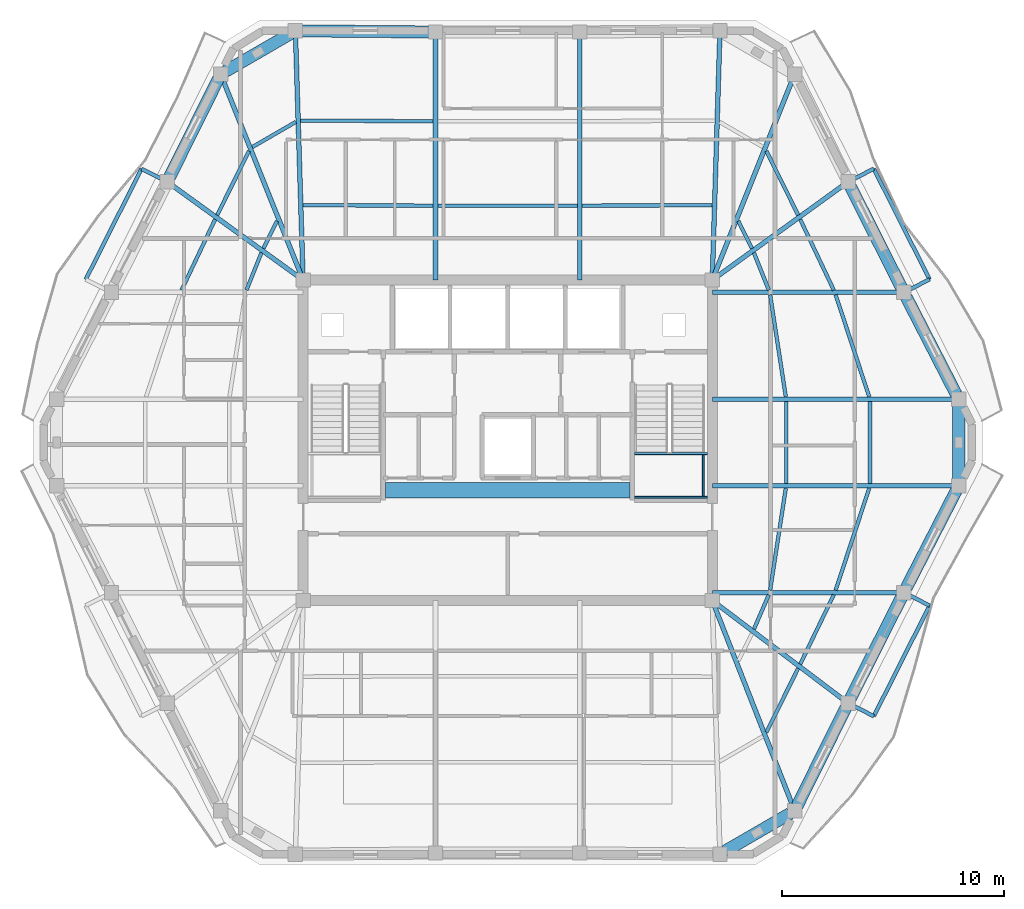
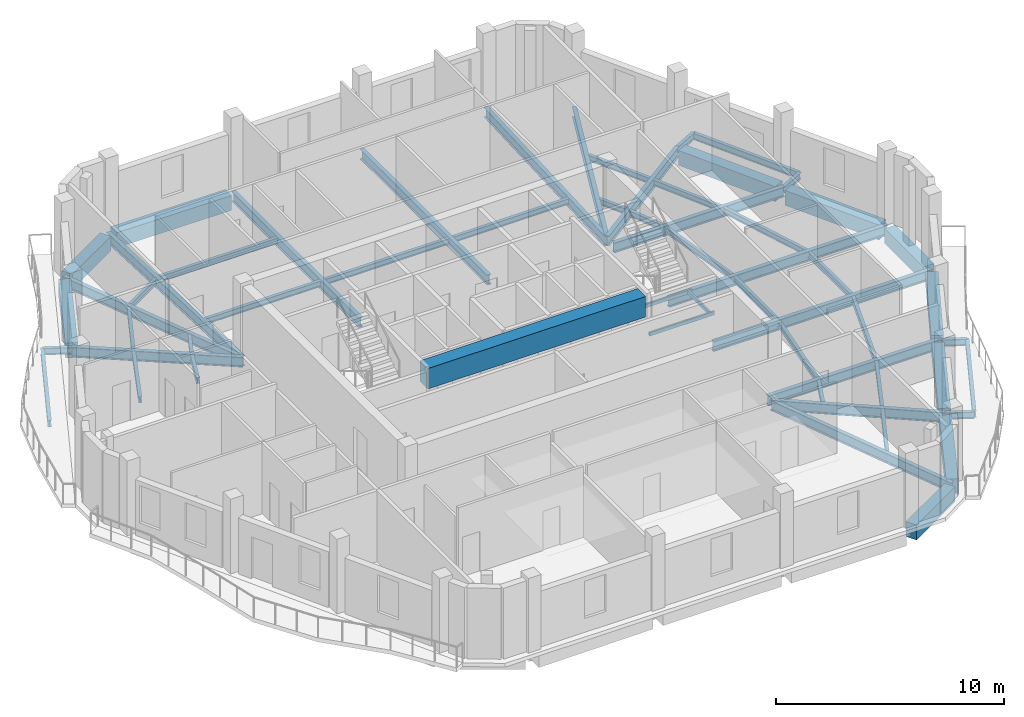
# One storey, part 2 of 11: 58 beams.
"""IFC4 building model written with IfcOpenShell, lengths in metres."""

from ifc_helpers import new_model, si_unit, direction, frame, origin, origin_2d, place, context, subcontext, project, spatial, rectangle, hollow_rectangle, i_section, extrude, material, material_profile, profile_set, type_object, element, save


model = new_model("IFC4")

# Units and contexts
model_context = context("Model", 3, precision=1e-05, world=origin(), true_north=direction((0.0, 1.0)))
body_context = subcontext(model_context, "Body", "Model", "MODEL_VIEW")
ifc_project = project(units=[si_unit("LENGTHUNIT", "METRE"), si_unit("AREAUNIT", "SQUARE_METRE"), si_unit("VOLUMEUNIT", "CUBIC_METRE"), si_unit("PLANEANGLEUNIT", "RADIAN"), si_unit("MASSUNIT", "GRAM", prefix="KILO")], contexts=[model_context])

# Site, building, storey
site_placement = place(None, origin())
site = spatial("IfcSite", under=ifc_project, at=site_placement, CompositionType="ELEMENT")
building_placement = place(site_placement, origin())
building = spatial("IfcBuilding", under=site, at=building_placement, Name="Cinnabar Lancet Tower", CompositionType="ELEMENT")
storey_placement = place(building_placement, frame((0.0, 0.0, 283.5)))
storey = spatial("IfcBuildingStorey", under=building, at=storey_placement, Name="L75", CompositionType="ELEMENT", Elevation=283.5)

# Beams
ifc_material_1 = material(Name="Concrete C70/85", Category="concrete")
ifc_material_profile_1 = material_profile(ifc_material_1, rectangle(XDim=0.699951171875, YDim=1.10009765625, at=origin_2d()), Name="RC-CB 700x1100")
ifc_profile_set_1 = profile_set([ifc_material_profile_1], Name="Concrete C70/85")
beam_type_1 = type_object("IfcBeamType", Name="STR-BM-CB-1100", PredefinedType="BEAM", material=ifc_profile_set_1)
beam_1_placement = place(storey_placement, frame((26.8798828125, 23.64990234375, 3.25), z_axis=(1.0, 0.0, 0.0), x_axis=(0.0, 1.0, 0.0)))
element("IfcBeam", 1, at=beam_1_placement, inside=storey, type_object=beam_type_1, Name="L75 Core Coupling Beam", PredefinedType="BEAM", context=body_context, shape_type="SweptSolid", body=[
    extrude(rectangle(XDim=0.699951171875, YDim=1.10009765625, at=origin_2d()), origin(), (0.0, 0.0, 1.0), 11.0400390625),
])
ifc_material_2 = material(Name="Structural steel S355", Category="steel")
ifc_material_profile_2 = material_profile(ifc_material_2, i_section(OverallWidth=0.1650390625, OverallDepth=0.303466796875, WebThickness=0.006103515625, FlangeThickness=0.01025390625, FilletRadius=0.0087890625, at=origin_2d()), Name="UKB 305x165x40")
ifc_profile_set_2 = profile_set([ifc_material_profile_2], Name="Structural steel S355")
beam_type_2 = type_object("IfcBeamType", Name="STR-BM-JST-305", PredefinedType="JOIST", material=ifc_profile_set_2)
beam_2_placement = place(storey_placement, frame((44.06591796875, 12.73193359375, -0.35205078125), z_axis=(0.444391284604, 0.895832789179, 0.0), x_axis=(-0.895832789179, 0.444391284604, 0.0)))
element("IfcBeam", 2, at=beam_2_placement, inside=storey, type_object=beam_type_2, Name="L75 Secondary Floor Joist 15", PredefinedType="JOIST", context=body_context, shape_type="SweptSolid", body=[
    extrude(i_section(OverallWidth=0.1650390625, OverallDepth=0.303466796875, WebThickness=0.006103515625, FlangeThickness=0.01025390625, FilletRadius=0.0087890625, at=origin_2d()), origin(), (0.0, 0.0, 1.0), 3.220458984375),
])
beam_3_placement = place(storey_placement, frame((45.591064453125, 15.80810546875, -0.35205078125), z_axis=(0.43610936109, 0.899893674369, 0.0), x_axis=(-0.899893674369, 0.43610936109, 0.0)))
element("IfcBeam", 3, at=beam_3_placement, inside=storey, type_object=beam_type_2, Name="L75 Secondary Floor Joist 17", PredefinedType="JOIST", context=body_context, shape_type="SweptSolid", body=[
    extrude(i_section(OverallWidth=0.1650390625, OverallDepth=0.303466796875, WebThickness=0.006103515625, FlangeThickness=0.01025390625, FilletRadius=0.0087890625, at=origin_2d()), origin(), (0.0, 0.0, 1.0), 3.467041015625),
])
beam_4_placement = place(storey_placement, frame((43.5048828125, 17.385009765625, -0.35205078125), z_axis=(0.396302440144, 0.91812002262, 0.0), x_axis=(-0.91812002262, 0.396302440144, 0.0)))
element("IfcBeam", 4, at=beam_4_placement, inside=storey, type_object=beam_type_2, Name="L75 Secondary Floor Joist 18", PredefinedType="JOIST", context=body_context, shape_type="SweptSolid", body=[
    extrude(i_section(OverallWidth=0.1650390625, OverallDepth=0.303466796875, WebThickness=0.006103515625, FlangeThickness=0.01025390625, FilletRadius=0.0087890625, at=origin_2d()), origin(), (0.0, 0.0, 1.0), 1.6806640625),
])
beam_5_placement = place(storey_placement, frame((47.18798828125, 19.137939453125, -0.35205078125), z_axis=(0.312491145371, 0.949920672512, 0.0), x_axis=(-0.949920672512, 0.312491145371, 0.0)))
element("IfcBeam", 5, at=beam_5_placement, inside=storey, type_object=beam_type_2, Name="L75 Secondary Floor Joist 19", PredefinedType="JOIST", context=body_context, shape_type="SweptSolid", body=[
    extrude(i_section(OverallWidth=0.1650390625, OverallDepth=0.303466796875, WebThickness=0.006103515625, FlangeThickness=0.01025390625, FilletRadius=0.0087890625, at=origin_2d()), origin(), (0.0, 0.0, 1.0), 4.8447265625),
])
beam_6_placement = place(storey_placement, frame((44.23291015625, 19.137939453125, -0.35205078125), z_axis=(0.152262059154, 0.988340156698, 0.0), x_axis=(-0.988340156698, 0.152262059154, 0.0)))
element("IfcBeam", 6, at=beam_6_placement, inside=storey, type_object=beam_type_2, Name="L75 Secondary Floor Joist 20", PredefinedType="JOIST", context=body_context, shape_type="SweptSolid", body=[
    extrude(i_section(OverallWidth=0.1650390625, OverallDepth=0.303466796875, WebThickness=0.006103515625, FlangeThickness=0.01025390625, FilletRadius=0.0087890625, at=origin_2d()), origin(), (0.0, 0.0, 1.0), 4.65625),
])
for number, where, z_axis, x_axis, name in (
    (7, (48.737060546875, 23.949951171875, -0.35205078125), (0.0, 1.0, 0.0), (-1.0, 0.0, 0.0), "L75 Secondary Floor Joist 21"),
    (8, (44.958984375, 23.949951171875, -0.35205078125), (0.0, 1.0, 0.0), (-1.0, 0.0, 0.0), "L75 Secondary Floor Joist 22"),
):
    element("IfcBeam", number, at=place(storey_placement, frame(where, z_axis=z_axis, x_axis=x_axis)), inside=storey, type_object=beam_type_2, Name=name, PredefinedType="JOIST", context=body_context, shape_type="SweptSolid", body=[
        extrude(i_section(OverallWidth=0.1650390625, OverallDepth=0.303466796875, WebThickness=0.006103515625, FlangeThickness=0.01025390625, FilletRadius=0.0087890625, at=origin_2d()), origin(), (0.0, 0.0, 1.0), 3.699951171875),
    ])
beam_7_placement = place(storey_placement, frame((48.701904296875, 27.860107421875, -0.35205078125), z_axis=(-0.312506104996, 0.94991575118, 0.0), x_axis=(-0.94991575118, -0.312506104996, 0.0)))
element("IfcBeam", 9, at=beam_7_placement, inside=storey, type_object=beam_type_2, Name="L75 Secondary Floor Joist 23", PredefinedType="JOIST", context=body_context, shape_type="SweptSolid", body=[
    extrude(i_section(OverallWidth=0.1650390625, OverallDepth=0.303466796875, WebThickness=0.006103515625, FlangeThickness=0.01025390625, FilletRadius=0.0087890625, at=origin_2d()), origin(), (0.0, 0.0, 1.0), 4.844482421875),
])
beam_8_placement = place(storey_placement, frame((44.94189453125, 27.860107421875, -0.35205078125), z_axis=(-0.152269949853, 0.988338941038, 0.0), x_axis=(-0.988338941038, -0.152269949853, 0.0)))
element("IfcBeam", 10, at=beam_8_placement, inside=storey, type_object=beam_type_2, Name="L75 Secondary Floor Joist 24", PredefinedType="JOIST", context=body_context, shape_type="SweptSolid", body=[
    extrude(i_section(OverallWidth=0.1650390625, OverallDepth=0.303466796875, WebThickness=0.006103515625, FlangeThickness=0.01025390625, FilletRadius=0.0087890625, at=origin_2d()), origin(), (0.0, 0.0, 1.0), 4.656005859375),
])
beam_9_placement = place(storey_placement, frame((47.10400390625, 32.672119140625, -0.35205078125), z_axis=(-0.428647868514, 0.903471640296, 0.0), x_axis=(-0.903471640296, -0.428647868514, 0.0)))
element("IfcBeam", 11, at=beam_9_placement, inside=storey, type_object=beam_type_2, Name="L75 Secondary Floor Joist 25", PredefinedType="JOIST", context=body_context, shape_type="SweptSolid", body=[
    extrude(i_section(OverallWidth=0.1650390625, OverallDepth=0.303466796875, WebThickness=0.006103515625, FlangeThickness=0.01025390625, FilletRadius=0.0087890625, at=origin_2d()), origin(), (0.0, 0.0, 1.0), 3.53173828125),
])
beam_10_placement = place(storey_placement, frame((44.175048828125, 32.672119140625, -0.35205078125), z_axis=(-0.37155332079, 0.928411616585, 0.0), x_axis=(-0.928411616585, -0.37155332079, 0.0)))
element("IfcBeam", 12, at=beam_10_placement, inside=storey, type_object=beam_type_2, Name="L75 Secondary Floor Joist 26", PredefinedType="JOIST", context=body_context, shape_type="SweptSolid", body=[
    extrude(i_section(OverallWidth=0.1650390625, OverallDepth=0.303466796875, WebThickness=0.006103515625, FlangeThickness=0.01025390625, FilletRadius=0.0087890625, at=origin_2d()), origin(), (0.0, 0.0, 1.0), 1.8115234375),
])
beam_11_placement = place(storey_placement, frame((45.4970703125, 36.054931640625, -0.35205078125), z_axis=(-0.44427059531, 0.895892648783, 0.0), x_axis=(-0.895892648783, -0.44427059531, 0.0)))
element("IfcBeam", 13, at=beam_11_placement, inside=storey, type_object=beam_type_2, Name="L75 Secondary Floor Joist 27", PredefinedType="JOIST", context=body_context, shape_type="SweptSolid", body=[
    extrude(i_section(OverallWidth=0.1650390625, OverallDepth=0.303466796875, WebThickness=0.006103515625, FlangeThickness=0.01025390625, FilletRadius=0.0087890625, at=origin_2d()), origin(), (0.0, 0.0, 1.0), 3.221435546875),
])
beam_12_placement = place(storey_placement, frame((43.4150390625, 34.549072265625, -0.35205078125), z_axis=(-0.444661746427, 0.895698571655, 0.0), x_axis=(-0.895698571655, -0.444661746427, 0.0)))
element("IfcBeam", 14, at=beam_12_placement, inside=storey, type_object=beam_type_2, Name="L75 Secondary Floor Joist 28", PredefinedType="JOIST", context=body_context, shape_type="SweptSolid", body=[
    extrude(i_section(OverallWidth=0.1650390625, OverallDepth=0.303466796875, WebThickness=0.006103515625, FlangeThickness=0.01025390625, FilletRadius=0.0087890625, at=origin_2d()), origin(), (0.0, 0.0, 1.0), 1.378662109375),
])
beam_13_placement = place(storey_placement, frame((41.6240234375, 36.49609375, -0.35205078125), z_axis=(-0.999996226008, -0.002747356738, 0.0), x_axis=(0.002747356738, -0.999996226008, 0.0)))
element("IfcBeam", 15, at=beam_13_placement, inside=storey, type_object=beam_type_2, Name="L75 Secondary Floor Joist 31", PredefinedType="JOIST", context=body_context, shape_type="SweptSolid", body=[
    extrude(i_section(OverallWidth=0.1650390625, OverallDepth=0.303466796875, WebThickness=0.006103515625, FlangeThickness=0.01025390625, FilletRadius=0.0087890625, at=origin_2d()), origin(), (0.0, 0.0, 1.0), 5.864990234375),
])
beam_14_placement = place(storey_placement, frame((35.549072265625, 36.47998046875, -0.35205078125), z_axis=(-1.0, 0.0, 0.0), x_axis=(0.0, -1.0, 0.0)))
element("IfcBeam", 16, at=beam_14_placement, inside=storey, type_object=beam_type_2, Name="L75 Secondary Floor Joist 33", PredefinedType="JOIST", context=body_context, shape_type="SweptSolid", body=[
    extrude(i_section(OverallWidth=0.1650390625, OverallDepth=0.303466796875, WebThickness=0.006103515625, FlangeThickness=0.01025390625, FilletRadius=0.0087890625, at=origin_2d()), origin(), (0.0, 0.0, 1.0), 6.298095703125),
])
beam_15_placement = place(storey_placement, frame((29.041015625, 40.282958984375, -0.35205078125), z_axis=(-0.999985712428, 0.005345553266, 0.0), x_axis=(-0.005345553266, -0.999985712428, 0.0)))
element("IfcBeam", 17, at=beam_15_placement, inside=storey, type_object=beam_type_2, Name="L75 Secondary Floor Joist 34", PredefinedType="JOIST", context=body_context, shape_type="SweptSolid", body=[
    extrude(i_section(OverallWidth=0.1650390625, OverallDepth=0.303466796875, WebThickness=0.006103515625, FlangeThickness=0.01025390625, FilletRadius=0.0087890625, at=origin_2d()), origin(), (0.0, 0.0, 1.0), 5.98291015625),
])
beam_16_placement = place(storey_placement, frame((29.041015625, 36.47998046875, -0.35205078125), z_axis=(-0.999996226008, 0.002747356738, 0.0), x_axis=(-0.002747356738, -0.999996226008, 0.0)))
element("IfcBeam", 18, at=beam_16_placement, inside=storey, type_object=beam_type_2, Name="L75 Secondary Floor Joist 35", PredefinedType="JOIST", context=body_context, shape_type="SweptSolid", body=[
    extrude(i_section(OverallWidth=0.1650390625, OverallDepth=0.303466796875, WebThickness=0.006103515625, FlangeThickness=0.01025390625, FilletRadius=0.0087890625, at=origin_2d()), origin(), (0.0, 0.0, 1.0), 5.864990234375),
])
beam_17_placement = place(storey_placement, frame((22.85009765625, 40.256103515625, -0.35205078125), z_axis=(-0.865426285481, -0.501036270542, 0.0), x_axis=(0.501036270542, -0.865426285481, 0.0)))
element("IfcBeam", 19, at=beam_17_placement, inside=storey, type_object=beam_type_2, Name="L75 Secondary Floor Joist 36", PredefinedType="JOIST", context=body_context, shape_type="SweptSolid", body=[
    extrude(i_section(OverallWidth=0.1650390625, OverallDepth=0.303466796875, WebThickness=0.006103515625, FlangeThickness=0.01025390625, FilletRadius=0.0087890625, at=origin_2d()), origin(), (0.0, 0.0, 1.0), 2.267333984375),
])
beam_18_placement = place(storey_placement, frame((20.73388671875, 38.94091796875, -0.35205078125), z_axis=(-0.444209762814, -0.89592281287, 0.0), x_axis=(0.89592281287, -0.444209762814, 0.0)))
element("IfcBeam", 20, at=beam_18_placement, inside=storey, type_object=beam_type_2, Name="L75 Secondary Floor Joist 37", PredefinedType="JOIST", context=body_context, shape_type="SweptSolid", body=[
    extrude(i_section(OverallWidth=0.1650390625, OverallDepth=0.303466796875, WebThickness=0.006103515625, FlangeThickness=0.01025390625, FilletRadius=0.0087890625, at=origin_2d()), origin(), (0.0, 0.0, 1.0), 3.22119140625),
])
beam_19_placement = place(storey_placement, frame((21.998046875, 35.783935546875, -0.35205078125), z_axis=(-0.444661746427, -0.895698571655, 0.0), x_axis=(0.895698571655, -0.444661746427, 0.0)))
element("IfcBeam", 21, at=beam_19_placement, inside=storey, type_object=beam_type_2, Name="L75 Secondary Floor Joist 38", PredefinedType="JOIST", context=body_context, shape_type="SweptSolid", body=[
    extrude(i_section(OverallWidth=0.1650390625, OverallDepth=0.303466796875, WebThickness=0.006103515625, FlangeThickness=0.01025390625, FilletRadius=0.0087890625, at=origin_2d()), origin(), (0.0, 0.0, 1.0), 1.378662109375),
])
beam_20_placement = place(storey_placement, frame((19.2099609375, 35.863037109375, -0.35205078125), z_axis=(-0.428647868514, -0.903471640296, 0.0), x_axis=(0.903471640296, -0.428647868514, 0.0)))
element("IfcBeam", 22, at=beam_20_placement, inside=storey, type_object=beam_type_2, Name="L75 Secondary Floor Joist 39", PredefinedType="JOIST", context=body_context, shape_type="SweptSolid", body=[
    extrude(i_section(OverallWidth=0.1650390625, OverallDepth=0.303466796875, WebThickness=0.006103515625, FlangeThickness=0.01025390625, FilletRadius=0.0087890625, at=origin_2d()), origin(), (0.0, 0.0, 1.0), 3.53173828125),
])
beam_21_placement = place(storey_placement, frame((21.298095703125, 34.35400390625, -0.35205078125), z_axis=(-0.37155332079, -0.928411616585, 0.0), x_axis=(0.928411616585, -0.37155332079, 0.0)))
element("IfcBeam", 23, at=beam_21_placement, inside=storey, type_object=beam_type_2, Name="L75 Secondary Floor Joist 40", PredefinedType="JOIST", context=body_context, shape_type="SweptSolid", body=[
    extrude(i_section(OverallWidth=0.1650390625, OverallDepth=0.303466796875, WebThickness=0.006103515625, FlangeThickness=0.01025390625, FilletRadius=0.0087890625, at=origin_2d()), origin(), (0.0, 0.0, 1.0), 1.8115234375),
])
ifc_material_3 = material(Name="Structural steel S355", Category="steel")
ifc_material_profile_3 = material_profile(ifc_material_3, hollow_rectangle(XDim=0.10009765625, YDim=0.199951171875, WallThickness=0.008056640625, InnerFilletRadius=0.00390625, OuterFilletRadius=0.011962890625, at=origin_2d()), Name="RHS 200x100x8")
ifc_profile_set_3 = profile_set([ifc_material_profile_3], Name="Structural steel S355")
beam_type_3 = type_object("IfcBeamType", Name="STR-BM-LND-203", PredefinedType="BEAM", material=ifc_profile_set_3)
for number, where, z_axis, x_axis, name in (
    (24, (38.1201171875, 23.330078125, 1.699951171875), (1.0, 0.0, 0.0), (0.0, 1.0, 0.0), "L75 ST-2-L75 Landing Support Beam S"),
    (25, (38.1201171875, 25.294921875, 1.699951171875), (1.0, 0.0, 0.0), (0.0, 1.0, 0.0), "L75 ST-2-L75 Landing Support Beam N"),
):
    element("IfcBeam", number, at=place(storey_placement, frame(where, z_axis=z_axis, x_axis=x_axis)), inside=storey, type_object=beam_type_3, Name=name, PredefinedType="BEAM", context=body_context, shape_type="SweptSolid", body=[
        extrude(hollow_rectangle(XDim=0.10009765625, YDim=0.199951171875, WallThickness=0.008056640625, InnerFilletRadius=0.00390625, OuterFilletRadius=0.011962890625, at=origin_2d()), origin(), (0.0, 0.0, 1.0), 3.27978515625),
    ])
beam_22_placement = place(storey_placement, frame((41.219970703125, 23.3798828125, 1.699951171875), z_axis=(0.0, 1.0, 0.0), x_axis=(-1.0, 0.0, 0.0)))
element("IfcBeam", 26, at=beam_22_placement, inside=storey, type_object=beam_type_3, Name="L75 ST-2-L75 Landing Side Trimmer Beam", PredefinedType="BEAM", context=body_context, shape_type="SweptSolid", body=[
    extrude(hollow_rectangle(XDim=0.10009765625, YDim=0.199951171875, WallThickness=0.008056640625, InnerFilletRadius=0.00390625, OuterFilletRadius=0.011962890625, at=origin_2d()), origin(), (0.0, 0.0, 1.0), 1.865234375),
])
ifc_material_4 = material(Name="Concrete C50/60", Category="concrete")
ifc_material_profile_4 = material_profile(ifc_material_4, rectangle(XDim=0.550048828125, YDim=0.800048828125, at=origin_2d()), Name="RC-SB 550x800")
ifc_profile_set_4 = profile_set([ifc_material_profile_4], Name="Concrete C50/60")
beam_type_4 = type_object("IfcBeamType", Name="STR-BM-RCSB-800", PredefinedType="SPANDREL", material=ifc_profile_set_4)
beam_23_placement = place(storey_placement, frame((42.18798828125, 7.364013671875, -0.60009765625), z_axis=(0.865230894194, 0.50137361292, 0.0), x_axis=(-0.50137361292, 0.865230894194, 0.0)))
element("IfcBeam", 27, at=beam_23_placement, inside=storey, type_object=beam_type_4, Name="L75 Perimeter Spandrel 4", PredefinedType="SPANDREL", context=body_context, shape_type="SweptSolid", body=[
    extrude(rectangle(XDim=0.550048828125, YDim=0.800048828125, at=origin_2d()), origin(), (0.0, 0.0, 1.0), 3.39453125),
])
beam_24_placement = place(storey_placement, frame((45.451904296875, 9.4150390625, -0.60009765625), z_axis=(0.444372599207, 0.895842058107, 0.0), x_axis=(-0.895842058107, 0.444372599207, 0.0)))
element("IfcBeam", 28, at=beam_24_placement, inside=storey, type_object=beam_type_4, Name="L75 Perimeter Spandrel 5", PredefinedType="SPANDREL", context=body_context, shape_type="SweptSolid", body=[
    extrude(rectangle(XDim=0.550048828125, YDim=0.800048828125, at=origin_2d()), origin(), (0.0, 0.0, 1.0), 4.91943359375),
])
beam_25_placement = place(storey_placement, frame((47.862060546875, 14.26904296875, -0.60009765625), z_axis=(0.450091864122, 0.892982258419, 0.0), x_axis=(-0.892982258419, 0.450091864122, 0.0)))
element("IfcBeam", 29, at=beam_25_placement, inside=storey, type_object=beam_type_4, Name="L75 Perimeter Spandrel 6", PredefinedType="SPANDREL", context=body_context, shape_type="SweptSolid", body=[
    extrude(rectangle(XDim=0.550048828125, YDim=0.800048828125, at=origin_2d()), origin(), (0.0, 0.0, 1.0), 5.085205078125),
])
beam_26_placement = place(storey_placement, frame((50.3779296875, 19.2548828125, -0.60009765625), z_axis=(0.457127852293, 0.889400993174, 0.0), x_axis=(-0.889400993174, 0.457127852293, 0.0)))
element("IfcBeam", 30, at=beam_26_placement, inside=storey, type_object=beam_type_4, Name="L75 Perimeter Spandrel 7", PredefinedType="SPANDREL", context=body_context, shape_type="SweptSolid", body=[
    extrude(rectangle(XDim=0.550048828125, YDim=0.800048828125, at=origin_2d()), origin(), (0.0, 0.0, 1.0), 4.911376953125),
])
beam_27_placement = place(storey_placement, frame((52.737060546875, 24.094970703125, -0.60009765625), z_axis=(0.0, 1.0, 0.0), x_axis=(-1.0, 0.0, 0.0)))
element("IfcBeam", 31, at=beam_27_placement, inside=storey, type_object=beam_type_4, Name="L75 Perimeter Spandrel 8", PredefinedType="SPANDREL", context=body_context, shape_type="SweptSolid", body=[
    extrude(rectangle(XDim=0.550048828125, YDim=0.800048828125, at=origin_2d()), origin(), (0.0, 0.0, 1.0), 3.409912109375),
])
beam_28_placement = place(storey_placement, frame((52.623046875, 27.97705078125, -0.60009765625), z_axis=(-0.457148063427, 0.889390604912, 0.0), x_axis=(-0.889390604912, -0.457148063427, 0.0)))
element("IfcBeam", 32, at=beam_28_placement, inside=storey, type_object=beam_type_4, Name="L75 Perimeter Spandrel 9", PredefinedType="SPANDREL", context=body_context, shape_type="SweptSolid", body=[
    extrude(rectangle(XDim=0.550048828125, YDim=0.800048828125, at=origin_2d()), origin(), (0.0, 0.0, 1.0), 4.9111328125),
])
beam_29_placement = place(storey_placement, frame((50.15087890625, 32.7900390625, -0.60009765625), z_axis=(-0.450091864122, 0.892982258419, 0.0), x_axis=(-0.892982258419, -0.450091864122, 0.0)))
element("IfcBeam", 33, at=beam_29_placement, inside=storey, type_object=beam_type_4, Name="L75 Perimeter Spandrel 10", PredefinedType="SPANDREL", context=body_context, shape_type="SweptSolid", body=[
    extrude(rectangle(XDim=0.550048828125, YDim=0.800048828125, at=origin_2d()), origin(), (0.0, 0.0, 1.0), 5.085205078125),
])
beam_30_placement = place(storey_placement, frame((28.89599609375, 44.31005859375, -0.60009765625), z_axis=(-0.999964785419, 0.008392134492, 0.0), x_axis=(-0.008392134492, -0.999964785419, 0.0)))
element("IfcBeam", 34, at=beam_30_placement, inside=storey, type_object=beam_type_4, Name="L75 Perimeter Spandrel 15", PredefinedType="SPANDREL", context=body_context, shape_type="SweptSolid", body=[
    extrude(rectangle(XDim=0.550048828125, YDim=0.800048828125, at=origin_2d()), origin(), (0.0, 0.0, 1.0), 5.818359375),
])
beam_31_placement = place(storey_placement, frame((22.612060546875, 44.236083984375, -0.60009765625), z_axis=(-0.865199693264, -0.501427453153, 0.0), x_axis=(0.501427453153, -0.865199693264, 0.0)))
element("IfcBeam", 35, at=beam_31_placement, inside=storey, type_object=beam_type_4, Name="L75 Perimeter Spandrel 16", PredefinedType="SPANDREL", context=body_context, shape_type="SweptSolid", body=[
    extrude(rectangle(XDim=0.550048828125, YDim=0.800048828125, at=origin_2d()), origin(), (0.0, 0.0, 1.0), 3.39453125),
])
beam_32_placement = place(storey_placement, frame((19.347900390625, 42.18505859375, -0.60009765625), z_axis=(-0.44433276947, -0.895861814107, 0.0), x_axis=(0.895861814107, -0.44433276947, 0.0)))
element("IfcBeam", 36, at=beam_32_placement, inside=storey, type_object=beam_type_4, Name="L75 Perimeter Spandrel 17", PredefinedType="SPANDREL", context=body_context, shape_type="SweptSolid", body=[
    extrude(rectangle(XDim=0.550048828125, YDim=0.800048828125, at=origin_2d()), origin(), (0.0, 0.0, 1.0), 4.919189453125),
])
ifc_material_5 = material(Name="Structural steel S355", Category="steel")
ifc_material_profile_5 = material_profile(ifc_material_5, i_section(OverallWidth=0.209228515625, OverallDepth=0.533203125, WebThickness=0.010009765625, FlangeThickness=0.015625, FilletRadius=0.0126953125, at=origin_2d()), Name="UKB 533x210x92")
ifc_profile_set_5 = profile_set([ifc_material_profile_5], Name="Structural steel S355")
beam_type_5 = type_object("IfcBeamType", Name="STR-BM-UKB533-92", PredefinedType="BEAM", material=ifc_profile_set_5)
beam_33_placement = place(storey_placement, frame((47.7490234375, 14.0458984375, -0.467041015625), z_axis=(-0.797735075719, 0.603008083667, 0.0), x_axis=(-0.603008083667, -0.797735075719, 0.0)))
element("IfcBeam", 37, at=beam_33_placement, inside=storey, type_object=beam_type_5, Name="L75 Corner Collector Girder 2", PredefinedType="BEAM", context=body_context, shape_type="SweptSolid", body=[
    extrude(i_section(OverallWidth=0.209228515625, OverallDepth=0.533203125, WebThickness=0.010009765625, FlangeThickness=0.015625, FilletRadius=0.0126953125, at=origin_2d()), origin(), (0.0, 0.0, 1.0), 7.6767578125),
])
for number, where, z_axis, x_axis, name in (
    (38, (47.7490234375, 37.553955078125, -0.467041015625), (-0.810299148474, -0.586016458797, 0.0), (0.586016458797, -0.810299148474, 0.0), "L75 Corner Collector Girder 3"),
    (39, (17.051025390625, 37.553955078125, -0.467041015625), (0.810299148474, -0.586016458797, 0.0), (0.586016458797, 0.810299148474, 0.0), "L75 Corner Collector Girder 4"),
):
    element("IfcBeam", number, at=place(storey_placement, frame(where, z_axis=z_axis, x_axis=x_axis)), inside=storey, type_object=beam_type_5, Name=name, PredefinedType="BEAM", context=body_context, shape_type="SweptSolid", body=[
        extrude(i_section(OverallWidth=0.209228515625, OverallDepth=0.533203125, WebThickness=0.010009765625, FlangeThickness=0.015625, FilletRadius=0.0126953125, at=origin_2d()), origin(), (0.0, 0.0, 1.0), 7.5576171875),
    ])
beam_34_placement = place(storey_placement, frame((45.341064453125, 9.19091796875, -0.467041015625), z_axis=(-0.364815017375, 0.931080019707, 0.0), x_axis=(-0.931080019707, -0.364815017375, 0.0)))
element("IfcBeam", 40, at=beam_34_placement, inside=storey, type_object=beam_type_5, Name="L75 Primary Floor Girder 5", PredefinedType="BEAM", context=body_context, shape_type="SweptSolid", body=[
    extrude(i_section(OverallWidth=0.209228515625, OverallDepth=0.533203125, WebThickness=0.010009765625, FlangeThickness=0.015625, FilletRadius=0.0126953125, at=origin_2d()), origin(), (0.0, 0.0, 1.0), 10.186279296875),
])
beam_35_placement = place(storey_placement, frame((50.263916015625, 19.032958984375, -0.467041015625), z_axis=(-1.0, 0.0, 0.0), x_axis=(0.0, -1.0, 0.0)))
element("IfcBeam", 41, at=beam_35_placement, inside=storey, type_object=beam_type_5, Name="L75 Primary Floor Girder 7", PredefinedType="BEAM", context=body_context, shape_type="SweptSolid", body=[
    extrude(i_section(OverallWidth=0.209228515625, OverallDepth=0.533203125, WebThickness=0.010009765625, FlangeThickness=0.015625, FilletRadius=0.0126953125, at=origin_2d()), origin(), (0.0, 0.0, 1.0), 8.638916015625),
])
for number, where, z_axis, x_axis, name in (
    (42, (52.737060546875, 23.844970703125, -0.467041015625), (-1.0, 0.0, 0.0), (0.0, -1.0, 0.0), "L75 Primary Floor Girder 8"),
    (43, (52.737060546875, 27.7548828125, -0.467041015625), (-1.0, 0.0, 0.0), (0.0, -1.0, 0.0), "L75 Primary Floor Girder 9"),
):
    element("IfcBeam", number, at=place(storey_placement, frame(where, z_axis=z_axis, x_axis=x_axis)), inside=storey, type_object=beam_type_5, Name=name, PredefinedType="BEAM", context=body_context, shape_type="SweptSolid", body=[
        extrude(i_section(OverallWidth=0.209228515625, OverallDepth=0.533203125, WebThickness=0.010009765625, FlangeThickness=0.015625, FilletRadius=0.0126953125, at=origin_2d()), origin(), (0.0, 0.0, 1.0), 11.112060546875),
    ])
beam_36_placement = place(storey_placement, frame((50.263916015625, 32.56689453125, -0.467041015625), z_axis=(-1.0, 0.0, 0.0), x_axis=(0.0, -1.0, 0.0)))
element("IfcBeam", 44, at=beam_36_placement, inside=storey, type_object=beam_type_5, Name="L75 Primary Floor Girder 10", PredefinedType="BEAM", context=body_context, shape_type="SweptSolid", body=[
    extrude(i_section(OverallWidth=0.209228515625, OverallDepth=0.533203125, WebThickness=0.010009765625, FlangeThickness=0.015625, FilletRadius=0.0126953125, at=origin_2d()), origin(), (0.0, 0.0, 1.0), 8.638916015625),
])
beam_37_placement = place(storey_placement, frame((45.341064453125, 42.408935546875, -0.467041015625), z_axis=(-0.371605341166, -0.928390796172, 0.0), x_axis=(0.928390796172, -0.371605341166, 0.0)))
element("IfcBeam", 45, at=beam_37_placement, inside=storey, type_object=beam_type_5, Name="L75 Primary Floor Girder 12", PredefinedType="BEAM", context=body_context, shape_type="SweptSolid", body=[
    extrude(i_section(OverallWidth=0.209228515625, OverallDepth=0.533203125, WebThickness=0.010009765625, FlangeThickness=0.015625, FilletRadius=0.0126953125, at=origin_2d()), origin(), (0.0, 0.0, 1.0), 10.0),
])
beam_38_placement = place(storey_placement, frame((41.971923828125, 44.361083984375, -0.467041015625), z_axis=(-0.030861159652, -0.999523680973, 0.0), x_axis=(0.999523680973, -0.030861159652, 0.0)))
element("IfcBeam", 46, at=beam_38_placement, inside=storey, type_object=beam_type_5, Name="L75 Primary Floor Girder 13", PredefinedType="BEAM", context=body_context, shape_type="SweptSolid", body=[
    extrude(i_section(OverallWidth=0.209228515625, OverallDepth=0.533203125, WebThickness=0.010009765625, FlangeThickness=0.015625, FilletRadius=0.0126953125, at=origin_2d()), origin(), (0.0, 0.0, 1.0), 11.241455078125),
])
for number, where, z_axis, x_axis, name in (
    (47, (35.654052734375, 44.30810546875, -0.467041015625), (0.0, -1.0, 0.0), (1.0, 0.0, 0.0), "L75 Primary Floor Girder 14"),
    (48, (29.14599609375, 44.30810546875, -0.467041015625), (0.0, -1.0, 0.0), (1.0, 0.0, 0.0), "L75 Primary Floor Girder 15"),
):
    element("IfcBeam", number, at=place(storey_placement, frame(where, z_axis=z_axis, x_axis=x_axis)), inside=storey, type_object=beam_type_5, Name=name, PredefinedType="BEAM", context=body_context, shape_type="SweptSolid", body=[
        extrude(i_section(OverallWidth=0.209228515625, OverallDepth=0.533203125, WebThickness=0.010009765625, FlangeThickness=0.015625, FilletRadius=0.0126953125, at=origin_2d()), origin(), (0.0, 0.0, 1.0), 11.18310546875),
    ])
beam_39_placement = place(storey_placement, frame((22.827880859375, 44.361083984375, -0.467041015625), z_axis=(0.030882856862, -0.999523010817, 0.0), x_axis=(0.999523010817, 0.030882856862, 0.0)))
element("IfcBeam", 49, at=beam_39_placement, inside=storey, type_object=beam_type_5, Name="L75 Primary Floor Girder 16", PredefinedType="BEAM", context=body_context, shape_type="SweptSolid", body=[
    extrude(i_section(OverallWidth=0.209228515625, OverallDepth=0.533203125, WebThickness=0.010009765625, FlangeThickness=0.015625, FilletRadius=0.0126953125, at=origin_2d()), origin(), (0.0, 0.0, 1.0), 11.241455078125),
])
beam_40_placement = place(storey_placement, frame((19.458984375, 42.408935546875, -0.467041015625), z_axis=(0.371605341166, -0.928390796172, 0.0), x_axis=(0.928390796172, 0.371605341166, 0.0)))
element("IfcBeam", 50, at=beam_40_placement, inside=storey, type_object=beam_type_5, Name="L75 Primary Floor Girder 17", PredefinedType="BEAM", context=body_context, shape_type="SweptSolid", body=[
    extrude(i_section(OverallWidth=0.209228515625, OverallDepth=0.533203125, WebThickness=0.010009765625, FlangeThickness=0.015625, FilletRadius=0.0126953125, at=origin_2d()), origin(), (0.0, 0.0, 1.0), 10.0),
])
ifc_material_6 = material(Name="Structural steel S355", Category="steel")
ifc_material_profile_6 = material_profile(ifc_material_6, i_section(OverallWidth=0.17138671875, OverallDepth=0.35498046875, WebThickness=0.00732421875, FlangeThickness=0.011474609375, FilletRadius=0.01025390625, at=origin_2d()), Name="UKB 356x171x51")
ifc_profile_set_6 = profile_set([ifc_material_profile_6], Name="Structural steel S355")
beam_type_6 = type_object("IfcBeamType", Name="STR-BM-WAV-OUT", PredefinedType="BEAM", material=ifc_profile_set_6)
for number, where, z_axis, x_axis, name in (
    (51, (47.7490234375, 14.0458984375, -0.39794921875), (0.89227592947, -0.451490493464, 0.0), (0.451490493464, 0.89227592947, 0.0), "L75 Face 2 Balcony Outlooker A"),
    (52, (50.263916015625, 19.032958984375, -0.39794921875), (0.892314203325, -0.451414845285, 0.0), (0.451414845285, 0.892314203325, 0.0), "L75 Face 2 Balcony Outlooker B"),
):
    element("IfcBeam", number, at=place(storey_placement, frame(where, z_axis=z_axis, x_axis=x_axis)), inside=storey, type_object=beam_type_6, Name=name, PredefinedType="BEAM", context=body_context, shape_type="SweptSolid", body=[
        extrude(i_section(OverallWidth=0.17138671875, OverallDepth=0.35498046875, WebThickness=0.00732421875, FlangeThickness=0.011474609375, FilletRadius=0.01025390625, at=origin_2d()), origin(), (0.0, 0.0, 1.0), 1.300048828125),
    ])
beam_41_placement = place(storey_placement, frame((50.263916015625, 32.56689453125, -0.39794921875), z_axis=(0.892238560088, 0.451564338597, 0.0), x_axis=(-0.451564338597, 0.892238560088, 0.0)))
element("IfcBeam", 53, at=beam_41_placement, inside=storey, type_object=beam_type_6, Name="L75 Face 3 Balcony Outlooker A", PredefinedType="BEAM", context=body_context, shape_type="SweptSolid", body=[
    extrude(i_section(OverallWidth=0.17138671875, OverallDepth=0.35498046875, WebThickness=0.00732421875, FlangeThickness=0.011474609375, FilletRadius=0.01025390625, at=origin_2d()), origin(), (0.0, 0.0, 1.0), 1.30029296875),
])
for number, where, z_axis, x_axis, name in (
    (54, (47.7490234375, 37.553955078125, -0.39794921875), (0.892200264127, 0.451639998995, 0.0), (-0.451639998995, 0.892200264127, 0.0), "L75 Face 3 Balcony Outlooker B"),
    (55, (17.051025390625, 37.553955078125, -0.39794921875), (-0.892200264127, 0.451639998995, 0.0), (-0.451639998995, -0.892200264127, 0.0), "L75 Face 5 Balcony Outlooker A"),
):
    element("IfcBeam", number, at=place(storey_placement, frame(where, z_axis=z_axis, x_axis=x_axis)), inside=storey, type_object=beam_type_6, Name=name, PredefinedType="BEAM", context=body_context, shape_type="SweptSolid", body=[
        extrude(i_section(OverallWidth=0.17138671875, OverallDepth=0.35498046875, WebThickness=0.00732421875, FlangeThickness=0.011474609375, FilletRadius=0.01025390625, at=origin_2d()), origin(), (0.0, 0.0, 1.0), 1.300048828125),
    ])
ifc_material_7 = material(Name="Structural steel S355", Category="steel")
ifc_material_profile_7 = material_profile(ifc_material_7, i_section(OverallWidth=0.17138671875, OverallDepth=0.35498046875, WebThickness=0.00732421875, FlangeThickness=0.011474609375, FilletRadius=0.01025390625, at=origin_2d()), Name="UKB 356x171x51")
ifc_profile_set_7 = profile_set([ifc_material_profile_7], Name="Structural steel S355")
beam_type_7 = type_object("IfcBeamType", Name="STR-BM-WAV-TRIM", PredefinedType="SPANDREL", material=ifc_profile_set_7)
for number, where, z_axis, x_axis, name in (
    (56, (48.908935546875, 13.458984375, -0.39794921875), (0.450305622338, 0.892874485295, 0.0), (-0.892874485295, 0.450305622338, 0.0), "L75 Face 2 Balcony Edge Trimmer"),
    (57, (51.424072265625, 33.154052734375, -0.39794921875), (-0.450305622338, 0.892874485295, 0.0), (-0.892874485295, -0.450305622338, 0.0), "L75 Face 3 Balcony Edge Trimmer"),
    (58, (15.89111328125, 38.14111328125, -0.39794921875), (-0.450305622338, -0.892874485295, 0.0), (0.892874485295, -0.450305622338, 0.0), "L75 Face 5 Balcony Edge Trimmer"),
):
    element("IfcBeam", number, at=place(storey_placement, frame(where, z_axis=z_axis, x_axis=x_axis)), inside=storey, type_object=beam_type_7, Name=name, PredefinedType="SPANDREL", context=body_context, shape_type="SweptSolid", body=[
        extrude(i_section(OverallWidth=0.17138671875, OverallDepth=0.35498046875, WebThickness=0.00732421875, FlangeThickness=0.011474609375, FilletRadius=0.01025390625, at=origin_2d()), origin(), (0.0, 0.0, 1.0), 5.58544921875),
    ])

save(model, "model.ifc")
